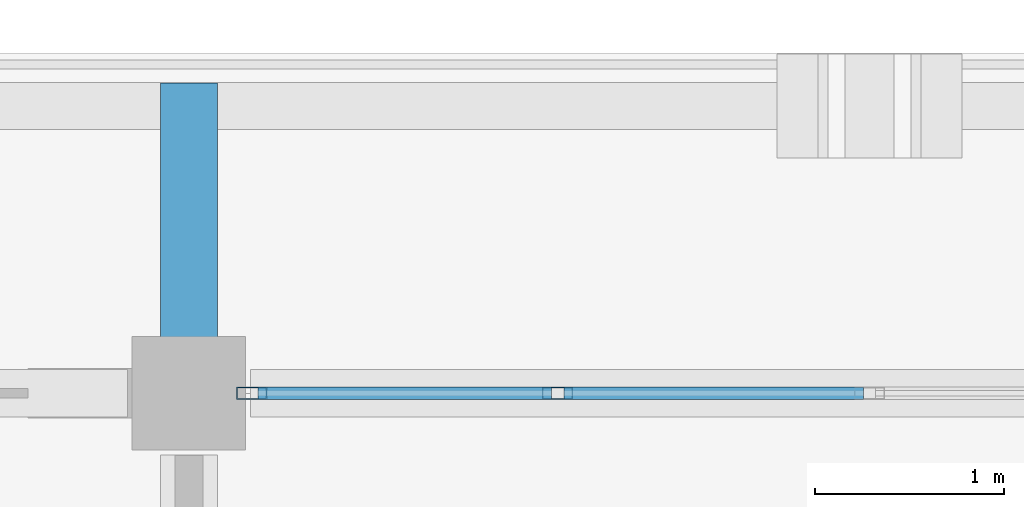
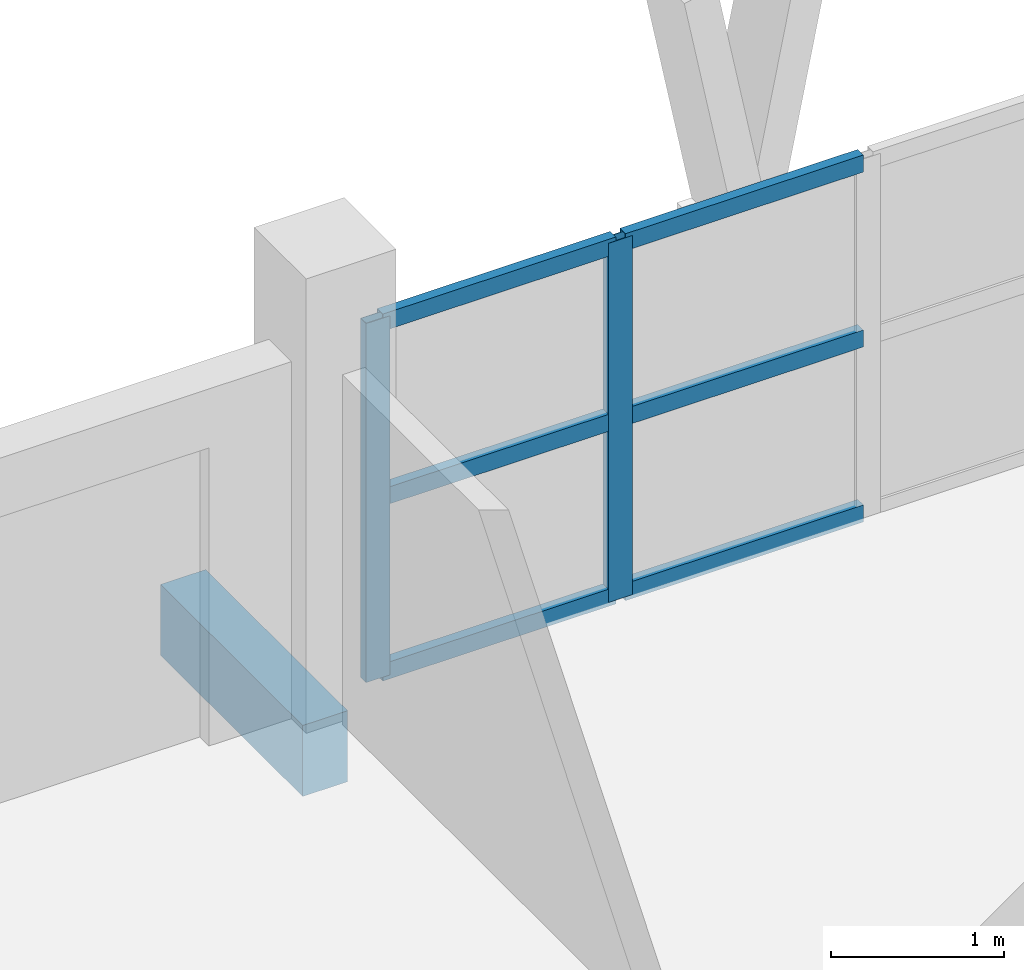
# One storey, part 11 of 73: 8 members, 1 beam, 1 element without a shape of its own.
"""IFC4 building model written with IfcOpenShell, lengths in metres."""

from ifc_helpers import new_model, si_unit, direction, frame, origin, origin_2d, place, context, subcontext, project, spatial, rectangle, hollow_rectangle, extrude, material, material_profile, profile_set, type_object, element, aggregate, save


model = new_model("IFC4")

# Units and contexts
model_context = context("Model", 3, precision=1e-05, world=origin(), true_north=direction((0.0, 1.0)))
body_context = subcontext(model_context, "Body", "Model", "MODEL_VIEW")
ifc_project = project(units=[si_unit("LENGTHUNIT", "METRE"), si_unit("AREAUNIT", "SQUARE_METRE"), si_unit("VOLUMEUNIT", "CUBIC_METRE"), si_unit("PLANEANGLEUNIT", "RADIAN"), si_unit("MASSUNIT", "GRAM", prefix="KILO")], contexts=[model_context])

# Site, building, storey
site_placement = place(None, origin())
site = spatial("IfcSite", under=ifc_project, at=site_placement, CompositionType="ELEMENT")
building_placement = place(site_placement, origin())
building = spatial("IfcBuilding", under=site, at=building_placement, Name="Suanplinth Sawtooth Commons", CompositionType="ELEMENT")
storey_placement = place(building_placement, frame((0.0, 0.0, 21.89990234375)))
storey = spatial("IfcBuildingStorey", under=building, at=storey_placement, Name="L06", CompositionType="ELEMENT", Elevation=21.89990234375)

# Beam
ifc_material_1 = material(Name="Precast concrete C40/50", Category="concrete")
ifc_material_profile_1 = material_profile(ifc_material_1, rectangle(XDim=0.300048828125, YDim=0.5, at=origin_2d()), Name="PC-BM 300x500")
ifc_profile_set_1 = profile_set([ifc_material_profile_1], Name="Precast concrete C40/50")
beam_type = type_object("IfcBeamType", Name="B-07", PredefinedType="BEAM", material=ifc_profile_set_1)
beam_placement = place(storey_placement, frame((43.199951171875, 122.39990234375, -0.429931640625), z_axis=(0.0, 1.0, 0.0), x_axis=(-1.0, 0.0, 0.0)))
element("IfcBeam", 1, at=beam_placement, inside=storey, type_object=beam_type, Name="Balcony Outrigger L06-A-N-6", PredefinedType="BEAM", context=body_context, shape_type="SweptSolid", body=[
    extrude(rectangle(XDim=0.300048828125, YDim=0.5, at=origin_2d()), origin(), (0.0, 0.0, 1.0), 1.64013671875),
])

# Curtain wall, members
ifc_material_2 = material(Name="Anodized aluminium and low-E glazing", Category="aluminium")
curtain_wall_type = type_object("IfcCurtainWallType", Name="CW-06", PredefinedType="USERDEFINED", material=ifc_material_2)
curtain_wall_placement = place(storey_placement, origin())
curtain_wall = element("IfcCurtainWall", 2, at=curtain_wall_placement, inside=storey, type_object=curtain_wall_type, Name="Curtain Wall CW-L06-A-LOUNGE-5", ObjectType="CURTAIN WALL", PredefinedType="USERDEFINED")
ifc_material_3 = material(Name="Anodized aluminium 6063-T6", Category="aluminium")
ifc_material_profile_2 = material_profile(ifc_material_3, hollow_rectangle(XDim=0.06494140625, YDim=0.159912109375, WallThickness=0.00390625, at=origin_2d()), Name="ALU-MUL 65x160")
ifc_profile_set_2 = profile_set([ifc_material_profile_2], Name="Anodized aluminium 6063-T6")
member_type_1 = type_object("IfcMemberType", Name="M-13", PredefinedType="MULLION", material=ifc_profile_set_2)
member_1_placement = place(storey_placement, frame((43.532470703125, 122.39990234375, 0.0), z_axis=(0.0, 0.0, 1.0), x_axis=(0.0, 1.0, 0.0)))
member_1 = element("IfcMember", 3, at=member_1_placement, type_object=member_type_1, Name="CW-06 mullion 1", PredefinedType="MULLION", context=body_context, shape_type="SweptSolid", body=[
    extrude(hollow_rectangle(XDim=0.06494140625, YDim=0.159912109375, WallThickness=0.00390625, at=origin_2d()), origin(), (0.0, 0.0, 1.0), 2.530029296875),
])
member_2_placement = place(storey_placement, frame((45.14990234375, 122.39990234375, 0.0), z_axis=(0.0, 0.0, 1.0), x_axis=(0.0, 1.0, 0.0)))
member_2 = element("IfcMember", 4, at=member_2_placement, type_object=member_type_1, Name="CW-06 mullion 2", PredefinedType="MULLION", context=body_context, shape_type="SweptSolid", body=[
    extrude(hollow_rectangle(XDim=0.06494140625, YDim=0.159912109375, WallThickness=0.00390625, at=origin_2d()), origin(), (0.0, 0.0, 1.0), 2.530029296875),
])
ifc_material_profile_3 = material_profile(ifc_material_3, hollow_rectangle(XDim=0.06494140625, YDim=0.1201171875, WallThickness=0.00390625, at=origin_2d()), Name="ALU-TRN 65x120")
ifc_profile_set_3 = profile_set([ifc_material_profile_3], Name="Anodized aluminium 6063-T6")
member_type_2 = type_object("IfcMemberType", Name="M-15", PredefinedType="USERDEFINED", material=ifc_profile_set_3)
member_3_placement = place(storey_placement, frame((43.56494140625, 122.39990234375, 0.03271484375), z_axis=(1.0, 0.0, 0.0), x_axis=(0.0, 1.0, 0.0)))
member_3 = element("IfcMember", 5, at=member_3_placement, type_object=member_type_2, Name="CW-06 transom 1.1", ObjectType="TRANSOM", PredefinedType="USERDEFINED", context=body_context, shape_type="SweptSolid", body=[
    extrude(hollow_rectangle(XDim=0.06494140625, YDim=0.1201171875, WallThickness=0.00390625, at=origin_2d()), origin(), (0.0, 0.0, 1.0), 1.552490234375),
])
member_4_placement = place(storey_placement, frame((43.56494140625, 122.39990234375, 1.26513671875), z_axis=(1.0, 0.0, 0.0), x_axis=(0.0, 1.0, 0.0)))
member_4 = element("IfcMember", 6, at=member_4_placement, type_object=member_type_2, Name="CW-06 transom 1.2", ObjectType="TRANSOM", PredefinedType="USERDEFINED", context=body_context, shape_type="SweptSolid", body=[
    extrude(hollow_rectangle(XDim=0.06494140625, YDim=0.1201171875, WallThickness=0.00390625, at=origin_2d()), origin(), (0.0, 0.0, 1.0), 1.552490234375),
])
member_5_placement = place(storey_placement, frame((43.56494140625, 122.39990234375, 2.49755859375), z_axis=(1.0, 0.0, 0.0), x_axis=(0.0, 1.0, 0.0)))
member_5 = element("IfcMember", 7, at=member_5_placement, type_object=member_type_2, Name="CW-06 transom 1.3", ObjectType="TRANSOM", PredefinedType="USERDEFINED", context=body_context, shape_type="SweptSolid", body=[
    extrude(hollow_rectangle(XDim=0.06494140625, YDim=0.1201171875, WallThickness=0.00390625, at=origin_2d()), origin(), (0.0, 0.0, 1.0), 1.552490234375),
])
member_6_placement = place(storey_placement, frame((45.1826171875, 122.39990234375, 0.03271484375), z_axis=(1.0, 0.0, 0.0), x_axis=(0.0, 1.0, 0.0)))
member_6 = element("IfcMember", 8, at=member_6_placement, type_object=member_type_2, Name="CW-06 transom 2.1", ObjectType="TRANSOM", PredefinedType="USERDEFINED", context=body_context, shape_type="SweptSolid", body=[
    extrude(hollow_rectangle(XDim=0.06494140625, YDim=0.1201171875, WallThickness=0.00390625, at=origin_2d()), origin(), (0.0, 0.0, 1.0), 1.5849609375),
])
member_7_placement = place(storey_placement, frame((45.1826171875, 122.39990234375, 1.26513671875), z_axis=(1.0, 0.0, 0.0), x_axis=(0.0, 1.0, 0.0)))
member_7 = element("IfcMember", 9, at=member_7_placement, type_object=member_type_2, Name="CW-06 transom 2.2", ObjectType="TRANSOM", PredefinedType="USERDEFINED", context=body_context, shape_type="SweptSolid", body=[
    extrude(hollow_rectangle(XDim=0.06494140625, YDim=0.1201171875, WallThickness=0.00390625, at=origin_2d()), origin(), (0.0, 0.0, 1.0), 1.5849609375),
])
member_8_placement = place(storey_placement, frame((45.1826171875, 122.39990234375, 2.49755859375), z_axis=(1.0, 0.0, 0.0), x_axis=(0.0, 1.0, 0.0)))
member_8 = element("IfcMember", 10, at=member_8_placement, type_object=member_type_2, Name="CW-06 transom 2.3", ObjectType="TRANSOM", PredefinedType="USERDEFINED", context=body_context, shape_type="SweptSolid", body=[
    extrude(hollow_rectangle(XDim=0.06494140625, YDim=0.1201171875, WallThickness=0.00390625, at=origin_2d()), origin(), (0.0, 0.0, 1.0), 1.5849609375),
])
aggregate(curtain_wall, [member_1, member_2, member_3, member_4, member_5, member_6, member_7, member_8])

save(model, "model.ifc")
